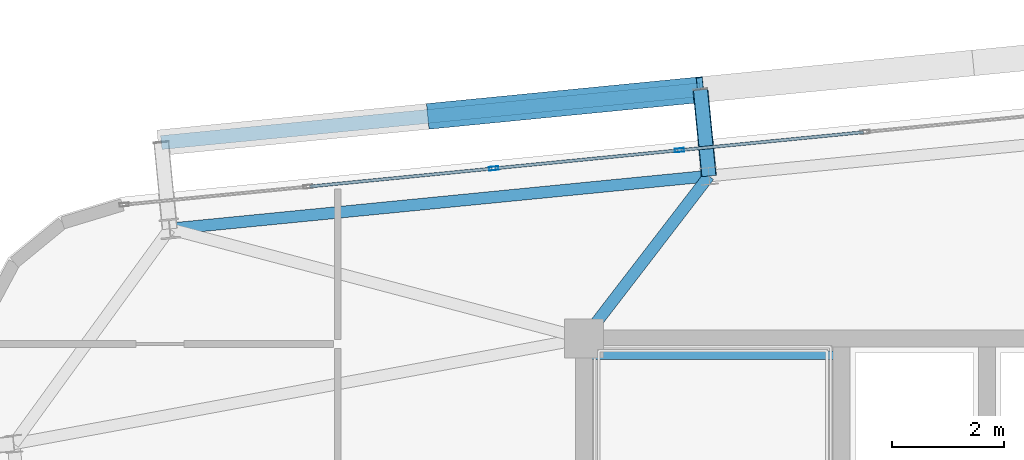
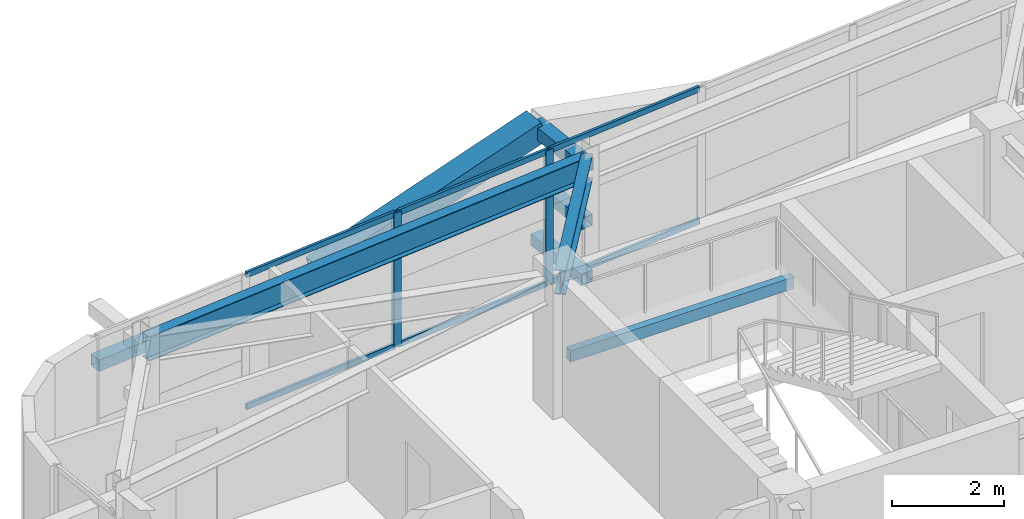
# One storey, part 28 of 53: 13 members, 3 beams, 1 element without a shape of its own.
"""IFC4 building model written with IfcOpenShell, lengths in metres."""

import ifcopenshell
import ifcopenshell.guid

model = None  # the IFC model being written
_history = None  # IfcOwnerHistory: only IFC2X3 demands one
_inside = {}  # id of a spatial element -> (the spatial element, [elements in it])
_under = {}  # id of a project, library or spatial element -> (it, [spatial elements below it])
_declared = {}  # id of a project -> (the project, [libraries it declares])
_typed = {}  # id of a type object -> (the type object, [elements of that type])
_made_of = {}  # id of a material, layer set ... -> (it, [elements and type objects made of it])


def new_model(schema):
    """Start an empty IFC model of exactly this schema.

    Asked for "IFC4X3", IfcOpenShell would pick the latest addendum, in which some entities
    have other attributes; the version numbers below select the first issue.
    IFC2X3 requires an IfcOwnerHistory on every rooted entity: one is made here for all.
    """
    global model, _history
    if schema == "IFC4X3":
        model = ifcopenshell.file(schema_version=(4, 3, 0, 0))
    else:
        model = ifcopenshell.file(schema=schema)
    _inside.clear()
    _under.clear()
    _declared.clear()
    _typed.clear()
    _made_of.clear()
    _history = None
    if model.schema == "IFC2X3":
        org = make("IfcOrganization", Name="unknown")
        user = make(
            "IfcPersonAndOrganization",
            ThePerson=make("IfcPerson", FamilyName="unknown"),
            TheOrganization=org,
        )
        app = make(
            "IfcApplication",
            ApplicationDeveloper=org,
            Version="unknown",
            ApplicationFullName="unknown",
            ApplicationIdentifier="unknown",
        )
        _history = make(
            "IfcOwnerHistory",
            OwningUser=user,
            OwningApplication=app,
            ChangeAction="ADDED",
            CreationDate=0,
        )
    return model


def make(cls, **values):
    """One entity of the class cls with the attributes given. An attribute that is None is left unset."""
    return model.create_entity(
        cls, **{name: value for name, value in values.items() if value is not None}
    )


def rooted(cls, **values):
    """An entity with a GlobalId (a new one), such as an element, a storey or a relation."""
    return make(cls, GlobalId=ifcopenshell.guid.new(), OwnerHistory=_history, **values)


def si_unit(unit_type, name, prefix=None):
    """IfcSIUnit, for example si_unit("LENGTHUNIT", "METRE", prefix="MILLI")."""
    return make("IfcSIUnit", UnitType=unit_type, Prefix=prefix, Name=name)


def assignment(units):
    """IfcUnitAssignment: the units of a project."""
    return None if units is None else make("IfcUnitAssignment", Units=units)


def point(xyz):
    """IfcCartesianPoint."""
    return None if xyz is None else make("IfcCartesianPoint", Coordinates=xyz)


def direction(xyz):
    """IfcDirection."""
    return None if xyz is None else make("IfcDirection", DirectionRatios=xyz)


def frame(location, z_axis=None, x_axis=None):
    """IfcAxis2Placement3D, a coordinate frame: its origin and axes. An axis left out is left unset."""
    return make(
        "IfcAxis2Placement3D",
        Location=point(location),
        Axis=direction(z_axis),
        RefDirection=direction(x_axis),
    )


def frame_2d(location, x_axis=None):
    """IfcAxis2Placement2D, a coordinate frame in the plane: its origin and x axis."""
    return make(
        "IfcAxis2Placement2D", Location=point(location), RefDirection=direction(x_axis)
    )


def origin():
    """The frame at (0, 0, 0) with its axes left unset."""
    return frame((0.0, 0.0, 0.0))


def origin_2d():
    """The frame at (0, 0) in the plane with its x axis left unset."""
    return frame_2d((0.0, 0.0))


def place(relative_to, where):
    """IfcLocalPlacement: puts the frame where relative to a parent placement (None: the world)."""
    return make(
        "IfcLocalPlacement", PlacementRelTo=relative_to, RelativePlacement=where
    )


def context(
    kind, dimensions, precision=None, world=None, true_north=None, identifier=None
):
    """IfcGeometricRepresentationContext, for example the 3D "Model" context."""
    return make(
        "IfcGeometricRepresentationContext",
        ContextIdentifier=identifier,
        ContextType=kind,
        CoordinateSpaceDimension=dimensions,
        Precision=precision,
        WorldCoordinateSystem=world,
        TrueNorth=true_north,
    )


def subcontext(parent, identifier, kind, view, scale=None):
    """IfcGeometricRepresentationSubContext, for example "Body" below "Model"."""
    return make(
        "IfcGeometricRepresentationSubContext",
        ContextIdentifier=identifier,
        ContextType=kind,
        ParentContext=parent,
        TargetScale=scale,
        TargetView=view,
    )


def project(units=None, contexts=None):
    """IfcProject with its units and contexts."""
    return rooted(
        "IfcProject",
        Name="project",
        RepresentationContexts=contexts,
        UnitsInContext=assignment(units),
    )


def spatial(cls, under=None, at=None, **own):
    """A site, building, storey or space (cls), placed at a placement, below another one or the project."""
    s = rooted(cls, ObjectPlacement=at, **own)
    if under is not None:
        _under.setdefault(under.id(), (under, []))[1].append(s)
    return s


def profile(cls, at=None, kind="AREA", **sizes):
    """A parametric profile (cls). Its sizes go by their IFC names, for example OverallWidth=200.0."""
    return make(cls, ProfileType=kind, Position=at, **sizes)


def hollow_rectangle(**sizes):
    """IfcRectangleHollowProfileDef."""
    return profile("IfcRectangleHollowProfileDef", **sizes)


def i_section(**sizes):
    """IfcIShapeProfileDef."""
    return profile("IfcIShapeProfileDef", **sizes)


def extrude(swept, where, along, depth):
    """IfcExtrudedAreaSolid: the profile swept, set in the frame where, extruded along a direction by depth."""
    return make(
        "IfcExtrudedAreaSolid",
        SweptArea=swept,
        Position=where,
        ExtrudedDirection=direction(along),
        Depth=depth,
    )


def shape(context_of_items, identifier, shape_type, items):
    """IfcShapeRepresentation: the items that make up one representation, for example the "Body"."""
    return make(
        "IfcShapeRepresentation",
        ContextOfItems=context_of_items,
        RepresentationIdentifier=identifier,
        RepresentationType=shape_type,
        Items=items,
    )


def source(mapping_origin, context_of_items, identifier, shape_type, items):
    """IfcRepresentationMap: a shape defined once, which mapped items show again and again."""
    return make(
        "IfcRepresentationMap",
        MappingOrigin=mapping_origin,
        MappedRepresentation=shape(context_of_items, identifier, shape_type, items),
    )


def transform(
    local_origin,
    x_axis=None,
    y_axis=None,
    z_axis=None,
    scale=None,
    scale2=None,
    scale3=None,
    uniform=True,
):
    """IfcCartesianTransformationOperator3D, or its non-uniform kind. x_axis, y_axis, z_axis: its Axis1, 2, 3."""
    if uniform:
        return make(
            "IfcCartesianTransformationOperator3D",
            Axis1=direction(x_axis),
            Axis2=direction(y_axis),
            LocalOrigin=point(local_origin),
            Scale=scale,
            Axis3=direction(z_axis),
        )
    return make(
        "IfcCartesianTransformationOperator3DnonUniform",
        Axis1=direction(x_axis),
        Axis2=direction(y_axis),
        LocalOrigin=point(local_origin),
        Scale=scale,
        Axis3=direction(z_axis),
        Scale2=scale2,
        Scale3=scale3,
    )


def mapped(mapping_source, mapping_target):
    """IfcMappedItem: shows the shape of a source again, moved by a transform."""
    return make(
        "IfcMappedItem", MappingSource=mapping_source, MappingTarget=mapping_target
    )


def material(Name=None, Category=None):
    """IfcMaterial."""
    return make("IfcMaterial", Name=Name, Category=Category)


def layer(
    of_material, thickness, ventilated=None, Name=None, Category=None, Priority=None
):
    """IfcMaterialLayer: one layer of a wall or slab, of a material (None: an air gap)."""
    return make(
        "IfcMaterialLayer",
        Material=of_material,
        LayerThickness=thickness,
        IsVentilated=ventilated,
        Name=Name,
        Category=Category,
        Priority=Priority,
    )


def layer_set(layers, Name=None):
    """IfcMaterialLayerSet."""
    return make("IfcMaterialLayerSet", MaterialLayers=layers, LayerSetName=Name)


def material_profile(
    of_material, cross_section, Name=None, Category=None, Priority=None
):
    """IfcMaterialProfile: a cross section and its material."""
    return make(
        "IfcMaterialProfile",
        Name=Name,
        Material=of_material,
        Profile=cross_section,
        Priority=Priority,
        Category=Category,
    )


def profile_set(profiles, Name=None, composite=None):
    """IfcMaterialProfileSet."""
    return make(
        "IfcMaterialProfileSet",
        Name=Name,
        MaterialProfiles=profiles,
        CompositeProfile=composite,
    )


def made_of(thing, what):
    """Note that an element or type object is made of a material, layer set ...; save() writes the relation."""
    if what is not None:
        _made_of.setdefault(what.id(), (what, []))[1].append(thing)
    return thing


def type_object(cls, material=None, **own):
    """A type object (cls), such as IfcWallType, which elements share."""
    return made_of(rooted(cls, **own), material)


def element(
    cls,
    number,
    at=None,
    inside=None,
    cuts=None,
    type_object=None,
    material=None,
    context=None,
    identifier="Body",
    shape_type=None,
    held_by="IfcProductDefinitionShape",
    body=None,
    shapes=None,
    **own,
):
    """One element of the class cls, such as IfcWall. Its Tag is "e" and its number.

    at: its placement. inside: the storey or other place that contains it. cuts: it is an
    opening in that element (IfcRelVoidsElement). A single representation is given by context,
    identifier, shape_type and body (its items); several are given by shapes. held_by: the class
    of the entity that holds the representations. save() writes the other relations.
    """
    e = rooted(cls, Tag="e%d" % number, ObjectPlacement=at, **own)
    if body is not None:
        shapes = [shape(context, identifier, shape_type, body)]
    if shapes is not None:
        e.Representation = make(held_by, Representations=shapes)
    if inside is not None:
        _inside.setdefault(inside.id(), (inside, []))[1].append(e)
    if cuts is not None:
        rooted(
            "IfcRelVoidsElement", RelatingBuildingElement=cuts, RelatedOpeningElement=e
        )
    if type_object is not None:
        _typed.setdefault(type_object.id(), (type_object, []))[1].append(e)
    return made_of(e, material)


def aggregate(whole, parts):
    """IfcRelAggregates: a whole, such as a stair, and the parts it consists of."""
    return rooted("IfcRelAggregates", RelatingObject=whole, RelatedObjects=parts)


def save(model, path):
    """Write the relations noted so far, then the file.

    IfcRelAggregates (storeys below a building ...), IfcRelContainedInSpatialStructure (elements
    in a storey), IfcRelDefinesByType, IfcRelAssociatesMaterial and IfcRelDeclares: one each for
    every whole, place, type object, material and project.
    """
    for whole, parts in _under.values():
        aggregate(whole, parts)
    for where, things in _inside.values():
        rooted(
            "IfcRelContainedInSpatialStructure",
            RelatedElements=things,
            RelatingStructure=where,
        )
    for kind, things in _typed.values():
        rooted("IfcRelDefinesByType", RelatedObjects=things, RelatingType=kind)
    for what, things in _made_of.values():
        rooted("IfcRelAssociatesMaterial", RelatedObjects=things, RelatingMaterial=what)
    for by, libraries in _declared.values():
        rooted("IfcRelDeclares", RelatingContext=by, RelatedDefinitions=libraries)
    model.write(path)


model = new_model("IFC4")

# Units and contexts
model_context = context("Model", 3, precision=1e-05, world=origin(), true_north=direction((0.0, 1.0)))
body_context = subcontext(model_context, "Body", "Model", "MODEL_VIEW")
ifc_project = project(units=[si_unit("LENGTHUNIT", "METRE"), si_unit("AREAUNIT", "SQUARE_METRE"), si_unit("VOLUMEUNIT", "CUBIC_METRE"), si_unit("PLANEANGLEUNIT", "RADIAN"), si_unit("MASSUNIT", "GRAM", prefix="KILO")], contexts=[model_context])

# Site, building, storey
site_placement = place(None, origin())
site = spatial("IfcSite", under=ifc_project, at=site_placement, CompositionType="ELEMENT")
building_placement = place(site_placement, origin())
building = spatial("IfcBuilding", under=site, at=building_placement, Name="Taldren Reach Tower", CompositionType="ELEMENT")
storey_placement = place(building_placement, frame((0.0, 0.0, 68.25)))
storey = spatial("IfcBuildingStorey", under=building, at=storey_placement, Name="L20", CompositionType="ELEMENT", Elevation=68.25)

# Beams
ifc_material_1 = material(Name="Steel Gr 350 (350PLUS)", Category="steel")
ifc_material_profile_1 = material_profile(ifc_material_1, i_section(OverallWidth=0.208984375, OverallDepth=0.528076171875, WebThickness=0.009521484375, FlangeThickness=0.01318359375, at=origin_2d()), Name="530UB82.0")
ifc_profile_set_1 = profile_set([ifc_material_profile_1], Name="Steel Gr 350 (350PLUS)")
beam_type_1 = type_object("IfcBeamType", Name="SP-UB530B", PredefinedType="SPANDREL", material=ifc_profile_set_1)
shared_shape_1 = source(origin(), body_context, "Body", "SweptSolid", [
    extrude(i_section(OverallWidth=0.208984375, OverallDepth=0.528076171875, WebThickness=0.009521484375, FlangeThickness=0.01318359375, at=origin_2d()), origin(), (0.0, 0.0, 1.0), 9.679931640625),
])
beam_1_placement = place(storey_placement, frame((21.230712890625, 34.9013671875, 2.666015625), z_axis=(-0.995227612658, -0.097580730699, 0.0), x_axis=(0.097580730699, -0.995227612658, 0.0)))
element("IfcBeam", 1, at=beam_1_placement, inside=storey, type_object=beam_type_1, Name="Perimeter spandrel B2 N2-N1 L20", PredefinedType="SPANDREL", context=body_context, shape_type="MappedRepresentation", body=[
    mapped(shared_shape_1, transform((0.0, 0.0, 0.0), scale=1.0)),
])
ifc_material_profile_2 = material_profile(ifc_material_1, i_section(OverallWidth=0.208984375, OverallDepth=0.532958984375, WebThickness=0.01025390625, FlangeThickness=0.015625, at=origin_2d()), Name="530UB92.4")
ifc_profile_set_2 = profile_set([ifc_material_profile_2], Name="Steel Gr 350 (350PLUS)")
beam_type_2 = type_object("IfcBeamType", Name="BM-UB530A", PredefinedType="BEAM", material=ifc_profile_set_2)
shared_shape_2 = source(origin(), body_context, "Body", "SweptSolid", [
    extrude(i_section(OverallWidth=0.208984375, OverallDepth=0.532958984375, WebThickness=0.01025390625, FlangeThickness=0.015625, at=origin_2d()), origin(), (0.0, 0.0, 1.0), 3.65966796875),
])
beam_2_placement = place(storey_placement, frame((19.0, 32.0, 2.66357421875), z_axis=(0.609520535722, 0.792770279799, 0.0), x_axis=(-0.792770279799, 0.609520535722, 0.0)))
element("IfcBeam", 2, at=beam_2_placement, inside=storey, type_object=beam_type_2, Name="Primary floor girder B2-N2 L20", PredefinedType="BEAM", context=body_context, shape_type="MappedRepresentation", body=[
    mapped(shared_shape_2, transform((0.0, 0.0, 0.0), scale=1.0)),
])

# Members
ifc_material_2 = material(Name="Steel Gr 450 (C450L0)", Category="steel")
ifc_material_profile_3 = material_profile(ifc_material_2, hollow_rectangle(XDim=0.27490234375, YDim=0.27490234375, WallThickness=0.00927734375, at=origin_2d()), Name="275x275x9.3SHS")
ifc_profile_set_3 = profile_set([ifc_material_profile_3], Name="Steel Gr 450 (C450L0)")
member_type_1 = type_object("IfcMemberType", Name="MB-TIE273", PredefinedType="STRUT", material=ifc_profile_set_3)
shared_shape_3 = source(origin(), body_context, "Body", "SweptSolid", [
    extrude(hollow_rectangle(XDim=0.27490234375, YDim=0.27490234375, WallThickness=0.00927734375, at=origin_2d()), origin(), (0.0, 0.0, 1.0), 1.550048828125),
])
member_1_placement = place(storey_placement, frame((21.230712890625, 34.9013671875, 2.64990234375), z_axis=(-0.097647892962, 0.9952210252, 0.0), x_axis=(-0.9952210252, -0.097647892962, 0.0)))
element("IfcMember", 3, at=member_1_placement, inside=storey, type_object=member_type_1, Name="Exoskeleton diaphragm tie strut B2-N2 L20", PredefinedType="STRUT", context=body_context, shape_type="MappedRepresentation", body=[
    mapped(shared_shape_3, transform((0.0, 0.0, 0.0), scale=1.0)),
])
ifc_material_profile_4 = material_profile(ifc_material_2, hollow_rectangle(XDim=0.4599609375, YDim=0.4599609375, WallThickness=0.01611328125, at=origin_2d()), Name="460x460x16.0SHS")
ifc_profile_set_4 = profile_set([ifc_material_profile_4], Name="Steel Gr 450 (C450L0)")
member_type_2 = type_object("IfcMemberType", Name="MB-EXO457", PredefinedType="BRACE", material=ifc_profile_set_4)
shared_shape_4 = source(origin(), body_context, "Body", "SweptSolid", [
    extrude(hollow_rectangle(XDim=0.4599609375, YDim=0.4599609375, WallThickness=0.01611328125, at=origin_2d()), origin(), (0.0, 0.0, 1.0), 4.990234375),
])
member_2_placement = place(storey_placement, frame((16.262451171875, 35.9716796875, 1.43505859375), z_axis=(0.965282554799, 0.094669120301, 0.243448859234), x_axis=(-0.097605711627, 0.995225162995, 0.0)))
element("IfcMember", 4, at=member_2_placement, inside=storey, type_object=member_type_2, Name="Exoskeleton Diagrid Brace B2-N1 L20", PredefinedType="BRACE", context=body_context, shape_type="MappedRepresentation", body=[
    mapped(shared_shape_4, transform((0.0, 0.0, 0.0), scale=1.0)),
])
ifc_material_3 = material(Name="Steel Gr 350 (C350L0)", Category="steel")
ifc_material_profile_5 = material_profile(ifc_material_3, hollow_rectangle(XDim=0.25, YDim=0.25, WallThickness=0.010009765625, at=origin_2d()), Name="250x250x10.0SHS")
ifc_profile_set_5 = profile_set([ifc_material_profile_5], Name="Steel Gr 350 (C350L0)")
member_type_3 = type_object("IfcMemberType", Name="MB-POST250", PredefinedType="POST", material=ifc_profile_set_5)
shared_shape_5 = source(origin(), body_context, "Body", "SweptSolid", [
    extrude(hollow_rectangle(XDim=0.25, YDim=0.25, WallThickness=0.010009765625, at=origin_2d()), origin(), (0.0, 0.0, 1.0), 9.679931640625),
])
member_3_placement = place(storey_placement, frame((11.445556640625, 35.49951171875, 1.43505859375), z_axis=(0.995227612658, 0.097580730699, 0.0), x_axis=(-0.097580730699, 0.995227612658, 0.0)))
element("IfcMember", 5, at=member_3_placement, inside=storey, type_object=member_type_3, Name="Exoskeleton mid-height ring chord B2-N1 L20", PredefinedType="POST", context=body_context, shape_type="MappedRepresentation", body=[
    mapped(shared_shape_5, transform((0.0, 0.0, 0.0), scale=1.0)),
])
shared_shape_6 = source(origin(), body_context, "Body", "SweptSolid", [
    extrude(hollow_rectangle(XDim=0.25, YDim=0.25, WallThickness=0.010009765625, at=origin_2d()), origin(), (0.0, 0.0, 1.0), 1.550048828125),
])
for number, where, z_axis, x_axis, name in (
    (6, (21.230712890625, 34.9013671875, 0.219970703125), (-0.097647892962, 0.9952210252, 0.0), (-0.9952210252, -0.097647892962, 0.0), "Exoskeleton base diaphragm tie strut B2-N2 L20"),
    (7, (21.230712890625, 34.9013671875, 1.43505859375), (-0.097647892962, 0.9952210252, 0.0), (-0.9952210252, -0.097647892962, 0.0), "Exoskeleton mid-tier diaphragm tie B2-N2 L20"),
):
    element("IfcMember", number, at=place(storey_placement, frame(where, z_axis=z_axis, x_axis=x_axis)), inside=storey, type_object=member_type_3, Name=name, PredefinedType="POST", context=body_context, shape_type="MappedRepresentation", body=[
        mapped(shared_shape_6, transform((0.0, 0.0, 0.0), scale=1.0)),
    ])

# Curtain wall, members
ifc_material_4 = material(Name="Aluminium and Low-E Glass Unitised System", Category="aluminium")
ifc_layer = layer(ifc_material_4, 0.159912109375)
ifc_layer_set = layer_set([ifc_layer], Name="Aluminium and Low-E Glass Unitised System")
curtain_wall_type = type_object("IfcCurtainWallType", Name="CW-SYS-3", PredefinedType="NOTDEFINED", material=ifc_layer_set)
curtain_wall_placement = place(storey_placement, origin())
curtain_wall = element("IfcCurtainWall", 8, at=curtain_wall_placement, inside=storey, type_object=curtain_wall_type, Name="Unitised curtain wall CW-L20-N", PredefinedType="NOTDEFINED")
ifc_material_5 = material(Name="Anodised Aluminium 6063-T6", Category="aluminium")
ifc_material_profile_6 = material_profile(ifc_material_5, hollow_rectangle(XDim=0.06494140625, YDim=0.1650390625, WallThickness=0.00390625, at=origin_2d()), Name="ALU-165x65x4RHS")
ifc_profile_set_6 = profile_set([ifc_material_profile_6], Name="Anodised Aluminium 6063-T6")
member_type_4 = type_object("IfcMemberType", Name="CW-MUL-165", PredefinedType="MULLION", material=ifc_profile_set_6)
shared_shape_7 = source(origin(), body_context, "Body", "SweptSolid", [
    extrude(hollow_rectangle(XDim=0.06494140625, YDim=0.1650390625, WallThickness=0.00390625, at=origin_2d()), origin(), (0.0, 0.0, 1.0), 2.929931640625),
])
member_4_placement = place(storey_placement, frame((20.703125, 35.3623046875, 0.0), z_axis=(0.0, 0.0, 1.0), x_axis=(0.097582999046, -0.995227390247, 0.0)))
member_4 = element("IfcMember", 9, at=member_4_placement, type_object=member_type_4, Name="CW-3 mullion 13", PredefinedType="MULLION", context=body_context, shape_type="MappedRepresentation", body=[
    mapped(shared_shape_7, transform((0.0, 0.0, 0.0), scale=1.0)),
])
member_5_placement = place(storey_placement, frame((17.3857421875, 35.036865234375, 0.0), z_axis=(0.0, 0.0, 1.0), x_axis=(0.097582999046, -0.995227390247, 0.0)))
member_5 = element("IfcMember", 10, at=member_5_placement, type_object=member_type_4, Name="CW-3 mullion 14", PredefinedType="MULLION", context=body_context, shape_type="MappedRepresentation", body=[
    mapped(shared_shape_7, transform((0.0, 0.0, 0.0), scale=1.0)),
])
ifc_material_profile_7 = material_profile(ifc_material_5, hollow_rectangle(XDim=0.054931640625, YDim=0.1201171875, WallThickness=0.0029296875, at=origin_2d()), Name="ALU-120x55x3RHS")
ifc_profile_set_7 = profile_set([ifc_material_profile_7], Name="Anodised Aluminium 6063-T6")
member_type_5 = type_object("IfcMemberType", Name="CW-TRN-135", PredefinedType="USERDEFINED", material=ifc_profile_set_7)
shared_shape_8 = source(origin(), body_context, "Body", "SweptSolid", [
    extrude(hollow_rectangle(XDim=0.054931640625, YDim=0.1201171875, WallThickness=0.0029296875, at=origin_2d()), origin(), (0.0, 0.0, 1.0), 3.268310546875),
])
member_6_placement = place(storey_placement, frame((23.98828125, 35.684326171875, 0.027587890625), z_axis=(-0.99522980512, -0.097558367146, 0.0), x_axis=(0.097558367146, -0.99522980512, 0.0)))
member_6 = element("IfcMember", 11, at=member_6_placement, type_object=member_type_5, Name="CW-3 transom 12.1", ObjectType="TRANSOM", PredefinedType="USERDEFINED", context=body_context, shape_type="MappedRepresentation", body=[
    mapped(shared_shape_8, transform((0.0, 0.0, 0.0), scale=1.0)),
])
member_7_placement = place(storey_placement, frame((23.98828125, 35.684326171875, 2.902587890625), z_axis=(-0.99522980512, -0.097558367146, 0.0), x_axis=(0.097558367146, -0.99522980512, 0.0)))
member_7 = element("IfcMember", 12, at=member_7_placement, type_object=member_type_5, Name="CW-3 transom 12.2", ObjectType="TRANSOM", PredefinedType="USERDEFINED", context=body_context, shape_type="MappedRepresentation", body=[
    mapped(shared_shape_8, transform((0.0, 0.0, 0.0), scale=1.0)),
])
member_8_placement = place(storey_placement, frame((17.353271484375, 35.03369140625, 0.027587890625), z_axis=(-0.99522980512, -0.097558367146, 0.0), x_axis=(0.097558367146, -0.99522980512, 0.0)))
member_8 = element("IfcMember", 13, at=member_8_placement, type_object=member_type_5, Name="CW-3 transom 14.1", ObjectType="TRANSOM", PredefinedType="USERDEFINED", context=body_context, shape_type="MappedRepresentation", body=[
    mapped(shared_shape_8, transform((0.0, 0.0, 0.0), scale=1.0)),
])
member_9_placement = place(storey_placement, frame((17.353271484375, 35.03369140625, 2.902587890625), z_axis=(-0.99522980512, -0.097558367146, 0.0), x_axis=(0.097558367146, -0.99522980512, 0.0)))
member_9 = element("IfcMember", 14, at=member_9_placement, type_object=member_type_5, Name="CW-3 transom 14.2", ObjectType="TRANSOM", PredefinedType="USERDEFINED", context=body_context, shape_type="MappedRepresentation", body=[
    mapped(shared_shape_8, transform((0.0, 0.0, 0.0), scale=1.0)),
])
shared_shape_9 = source(origin(), body_context, "Body", "SweptSolid", [
    extrude(hollow_rectangle(XDim=0.054931640625, YDim=0.1201171875, WallThickness=0.0029296875, at=origin_2d()), origin(), (0.0, 0.0, 1.0), 3.2685546875),
])
member_10_placement = place(storey_placement, frame((20.6708984375, 35.359130859375, 0.027587890625), z_axis=(-0.995223261527, -0.09762509778, 0.0), x_axis=(0.09762509778, -0.995223261527, 0.0)))
member_10 = element("IfcMember", 15, at=member_10_placement, type_object=member_type_5, Name="CW-3 transom 13.1", ObjectType="TRANSOM", PredefinedType="USERDEFINED", context=body_context, shape_type="MappedRepresentation", body=[
    mapped(shared_shape_9, transform((0.0, 0.0, 0.0), scale=1.0)),
])
member_11_placement = place(storey_placement, frame((20.6708984375, 35.359130859375, 2.902587890625), z_axis=(-0.995223261527, -0.09762509778, 0.0), x_axis=(0.09762509778, -0.995223261527, 0.0)))
member_11 = element("IfcMember", 16, at=member_11_placement, type_object=member_type_5, Name="CW-3 transom 13.2", ObjectType="TRANSOM", PredefinedType="USERDEFINED", context=body_context, shape_type="MappedRepresentation", body=[
    mapped(shared_shape_9, transform((0.0, 0.0, 0.0), scale=1.0)),
])
aggregate(curtain_wall, [member_4, member_5, member_6, member_7, member_10, member_11, member_8, member_9])

# Beam
ifc_material_profile_8 = material_profile(ifc_material_3, hollow_rectangle(XDim=0.14990234375, YDim=0.25, WallThickness=0.009033203125, at=origin_2d()), Name="250x150x9.0RHS")
ifc_profile_set_8 = profile_set([ifc_material_profile_8], Name="Steel Gr 350 (C350L0)")
beam_type_3 = type_object("IfcBeamType", Name="LN-RHS250", PredefinedType="LINTEL", material=ifc_profile_set_8)
shared_shape_10 = source(origin(), body_context, "Body", "SweptSolid", [
    extrude(hollow_rectangle(XDim=0.14990234375, YDim=0.25, WallThickness=0.009033203125, at=origin_2d()), origin(), (0.0, 0.0, 1.0), 4.60009765625),
])
beam_3_placement = place(storey_placement, frame((19.0, 31.699951171875, 1.27001953125), z_axis=(1.0, 0.0, 0.0), x_axis=(0.0, 1.0, 0.0)))
element("IfcBeam", 17, at=beam_3_placement, inside=storey, type_object=beam_type_3, Name="Stair half-landing support beam ST1-L20-2", PredefinedType="LINTEL", context=body_context, shape_type="MappedRepresentation", body=[
    mapped(shared_shape_10, transform((0.0, 0.0, 0.0), scale=1.0)),
])

save(model, "model.ifc")
